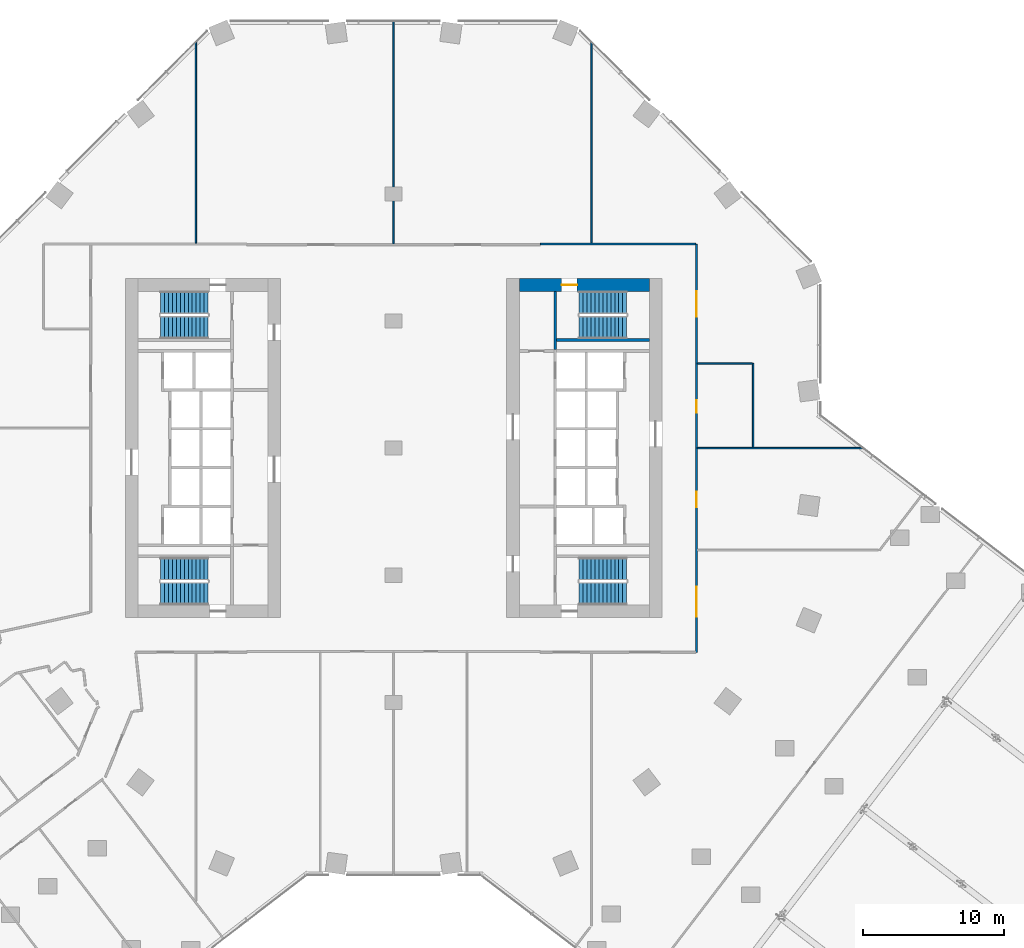
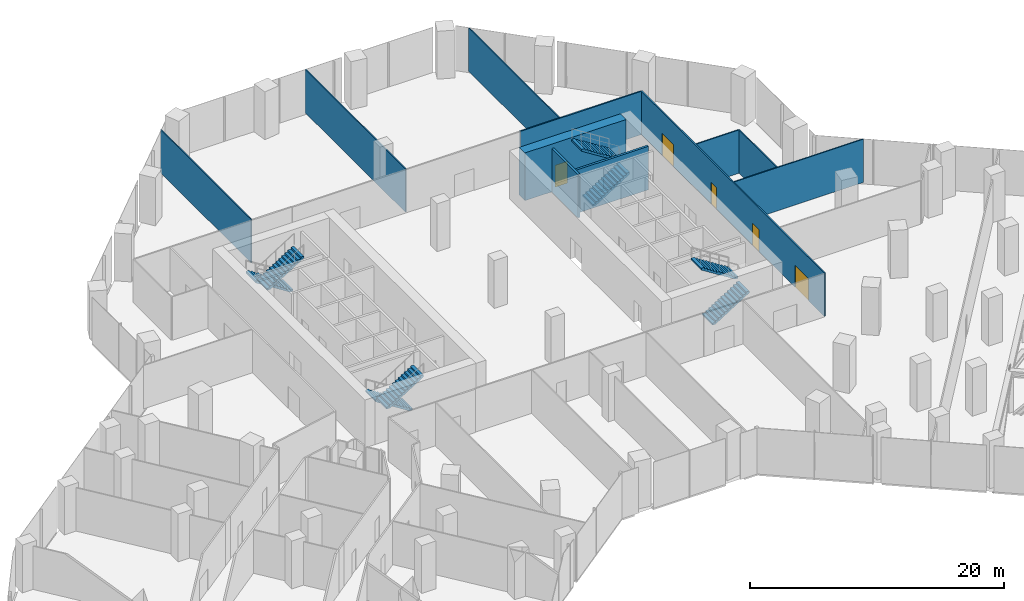
# One storey, part 27 of 30: 11 walls, 8 stair flights, 5 doors, 5 openings, 4 elements without a shape of their own.
"""IFC4 building model written with IfcOpenShell, lengths in metres."""

from ifc_helpers import new_model, si_unit, direction, frame, frame_2d, origin, place, context, subcontext, project, spatial, polyline, rectangle, outline, extrude, material, layer, layer_set, type_object, element, fill, aggregate, save


model = new_model("IFC4")

# Units and contexts
model_context = context("Model", 3, precision=1e-05, world=origin(), true_north=direction((0.0, 1.0)))
body_context = subcontext(model_context, "Body", "Model", "MODEL_VIEW")
ifc_project = project(units=[si_unit("LENGTHUNIT", "METRE"), si_unit("AREAUNIT", "SQUARE_METRE"), si_unit("VOLUMEUNIT", "CUBIC_METRE"), si_unit("PLANEANGLEUNIT", "RADIAN"), si_unit("MASSUNIT", "GRAM", prefix="KILO")], contexts=[model_context])

# Site, building, storey
site_placement = place(None, origin())
site = spatial("IfcSite", under=ifc_project, at=site_placement, CompositionType="ELEMENT")
building_placement = place(site_placement, origin())
building = spatial("IfcBuilding", under=site, at=building_placement, Name="Orlundy Tower", CompositionType="ELEMENT")
storey_placement = place(building_placement, frame((0.0, 0.0, 20.5)))
storey = spatial("IfcBuildingStorey", under=building, at=storey_placement, Name="L03", CompositionType="ELEMENT", Elevation=20.5)

# Wall, opening, door
ifc_material_1 = material(Name="Concrete C80/95", Category="concrete")
ifc_layer_1 = layer(ifc_material_1, 0.89990234375)
ifc_layer_set_1 = layer_set([ifc_layer_1], Name="CORE WALL 900 C80/95")
wall_type_1 = type_object("IfcWallType", Name="CORE WALL 900 C80/95", PredefinedType="SHEAR", material=ifc_layer_set_1)
wall_1_placement = place(storey_placement, frame((8.89990234375, 11.550048828125, 0.0), z_axis=(0.0, 0.0, 1.0), x_axis=(1.0, 0.0, 0.0)))
wall_1 = element("IfcWall", 1, at=wall_1_placement, inside=storey, type_object=wall_type_1, Name="Core wall E-N L03", PredefinedType="SHEAR", context=body_context, shape_type="SweptSolid", body=[
    extrude(rectangle(XDim=9.2001953125, YDim=0.89990234375, at=frame_2d((4.60009765625, 0.0))), origin(), (0.0, 0.0, 1.0), 4.60009765625),
])
opening_1_placement = place(wall_1_placement, frame((3.0, 0.0, 0.0)))
opening_1 = element("IfcOpeningElement", 2, at=opening_1_placement, cuts=wall_1, Name="Opening 04062", PredefinedType="OPENING", context=body_context, shape_type="SweptSolid", body=[
    extrude(rectangle(XDim=1.10009765625, YDim=2.10009765625, at=frame_2d((0.550048828125, 1.050048828125))), frame((0.0, 0.4599609375, 0.0), z_axis=(0.0, -1.0, 0.0), x_axis=(1.0, 0.0, 0.0)), (0.0, 0.0, 1.0), 0.919921875),
])
ifc_material_2 = material(Name="Steel door set", Category="steel")
door_type_1 = type_object("IfcDoorType", Name="Stair Door 1100x2100", OperationType="SINGLE_SWING_LEFT", PredefinedType="DOOR", material=ifc_material_2)
door_1_placement = place(opening_1_placement, origin())
door_1 = element("IfcDoor", 3, at=door_1_placement, inside=storey, type_object=door_type_1, Name="Stair door 04062", OperationType="SINGLE_SWING_LEFT", OverallHeight=2.10009765625, OverallWidth=1.10009765625, PredefinedType="DOOR", context=body_context, shape_type="SweptSolid", body=[
    extrude(rectangle(XDim=1.10009765625, YDim=2.10009765625, at=frame_2d((0.550048828125, 1.050048828125))), frame((0.0, 0.02490234375, 0.0), z_axis=(0.0, -1.0, 0.0), x_axis=(1.0, 0.0, 0.0)), (0.0, 0.0, 1.0), 0.050048828125),
])
fill(opening_1, door_1)

# Walls
ifc_material_3 = material(Name="Gypsum board partition")
ifc_layer_2 = layer(ifc_material_3, 0.10009765625)
ifc_layer_set_2 = layer_set([ifc_layer_2], Name="Floor partition 100")
wall_type_2 = type_object("IfcWallType", Name="Floor partition 100", PredefinedType="PARTITIONING", material=ifc_layer_set_2)
wall_2_placement = place(storey_placement, frame((21.511962890625, 0.0, 0.0), z_axis=(0.0, 0.0, 1.0), x_axis=(1.0, 0.0, 0.0)))
element("IfcWall", 4, at=wall_2_placement, inside=storey, type_object=wall_type_2, Name="wall-int-L03-028", PredefinedType="PARTITIONING", context=body_context, shape_type="SweptSolid", body=[
    extrude(rectangle(XDim=11.751953125, YDim=0.10009765625, at=frame_2d((5.8759765625, 0.0))), origin(), (0.0, 0.0, 1.0), 4.159912109375),
])
wall_3_placement = place(storey_placement, frame((21.511962890625, 5.9990234375, 0.0), z_axis=(0.0, 0.0, 1.0), x_axis=(1.0, 0.0, 0.0)))
element("IfcWall", 5, at=wall_3_placement, inside=storey, type_object=wall_type_2, Name="wall-int-L03-030", PredefinedType="PARTITIONING", context=body_context, shape_type="SweptSolid", body=[
    extrude(rectangle(XDim=3.886962890625, YDim=0.10009765625, at=frame_2d((1.943359375, 0.0))), origin(), (0.0, 0.0, 1.0), 4.159912109375),
])
wall_4_placement = place(storey_placement, frame((25.448974609375, 0.050048828125, 0.0), z_axis=(0.0, 0.0, 1.0), x_axis=(0.0, 1.0, 0.0)))
element("IfcWall", 6, at=wall_4_placement, inside=storey, type_object=wall_type_2, Name="wall-int-L03-057", PredefinedType="PARTITIONING", context=body_context, shape_type="SweptSolid", body=[
    extrude(rectangle(XDim=5.948974609375, YDim=0.10009765625, at=frame_2d((2.974609375, 0.0))), origin(), (0.0, 0.0, 1.0), 4.159912109375),
])
wall_5_placement = place(storey_placement, frame((14.0, 14.513916015625, 0.0), z_axis=(0.0, 0.0, 1.0), x_axis=(0.0, 1.0, 0.0)))
element("IfcWall", 7, at=wall_5_placement, inside=storey, type_object=wall_type_2, Name="wall-int-L03-060", PredefinedType="PARTITIONING", context=body_context, shape_type="SweptSolid", body=[
    extrude(rectangle(XDim=14.26611328125, YDim=0.10009765625, at=frame_2d((7.133056640625, 0.0))), origin(), (0.0, 0.0, 1.0), 4.159912109375),
])
wall_6_placement = place(storey_placement, frame((0.0, 14.462890625, 0.0), z_axis=(0.0, 0.0, 1.0), x_axis=(0.0, 1.0, 0.0)))
element("IfcWall", 8, at=wall_6_placement, inside=storey, type_object=wall_type_2, Name="wall-int-L03-063", PredefinedType="PARTITIONING", context=body_context, shape_type="SweptSolid", body=[
    extrude(rectangle(XDim=15.787109375, YDim=0.10009765625, at=frame_2d((7.8935546875, 0.0))), origin(), (0.0, 0.0, 1.0), 4.159912109375),
])
wall_7_placement = place(storey_placement, frame((-14.0, 14.513916015625, 0.0), z_axis=(0.0, 0.0, 1.0), x_axis=(0.0, 1.0, 0.0)))
element("IfcWall", 9, at=wall_7_placement, inside=storey, type_object=wall_type_2, Name="wall-int-L03-066", PredefinedType="PARTITIONING", context=body_context, shape_type="SweptSolid", body=[
    extrude(rectangle(XDim=14.26611328125, YDim=0.10009765625, at=frame_2d((7.133056640625, 0.0))), origin(), (0.0, 0.0, 1.0), 4.159912109375),
])
ifc_material_4 = material(Name="Gypsum board partition, double layer")
ifc_layer_3 = layer(ifc_material_4, 0.125)
ifc_layer_set_3 = layer_set([ifc_layer_3], Name="Floor partition 125")
wall_type_3 = type_object("IfcWallType", Name="Floor partition 125", PredefinedType="PARTITIONING", material=ifc_layer_set_3)
wall_8_placement = place(storey_placement, frame((10.39111328125, 14.450927734375, 0.0), z_axis=(0.0, 0.0, 1.0), x_axis=(1.0, 0.0, 0.0)))
element("IfcWall", 10, at=wall_8_placement, inside=storey, type_object=wall_type_3, Name="wall-int-L03-034", PredefinedType="PARTITIONING", context=body_context, shape_type="SweptSolid", body=[
    extrude(rectangle(XDim=10.995849609375, YDim=0.125, at=frame_2d((5.498046875, 0.0))), origin(), (0.0, 0.0, 1.0), 4.159912109375),
])

# Wall, openings, doors
wall_9_placement = place(storey_placement, frame((21.449951171875, 14.450927734375, 0.0), z_axis=(0.0, 0.0, 1.0), x_axis=(0.0, -1.0, 0.0)))
wall_9 = element("IfcWall", 11, at=wall_9_placement, inside=storey, type_object=wall_type_3, Name="wall-int-L03-058", PredefinedType="PARTITIONING", context=body_context, shape_type="SweptSolid", body=[
    extrude(rectangle(XDim=28.90185546875, YDim=0.125, at=frame_2d((14.450927734375, 0.0))), origin(), (0.0, 0.0, 1.0), 4.159912109375),
])
opening_2_placement = place(wall_9_placement, frame((24.27490234375, 0.0, 0.0)))
opening_2 = element("IfcOpeningElement", 12, at=opening_2_placement, cuts=wall_9, Name="Opening 04122", PredefinedType="OPENING", context=body_context, shape_type="SweptSolid", body=[
    extrude(rectangle(XDim=2.10009765625, YDim=2.10009765625, at=frame_2d((1.050048828125, 1.050048828125))), frame((0.0, 0.072509765625, 0.0), z_axis=(0.0, -1.0, 0.0), x_axis=(1.0, 0.0, 0.0)), (0.0, 0.0, 1.0), 0.14501953125),
])
opening_3_placement = place(wall_9_placement, frame((17.551025390625, 0.0, 0.0)))
opening_3 = element("IfcOpeningElement", 13, at=opening_3_placement, cuts=wall_9, Name="Opening 04123", PredefinedType="OPENING", context=body_context, shape_type="SweptSolid", body=[
    extrude(rectangle(XDim=1.10009765625, YDim=2.10009765625, at=frame_2d((0.550048828125, 1.050048828125))), frame((0.0, 0.072509765625, 0.0), z_axis=(0.0, -1.0, 0.0), x_axis=(1.0, 0.0, 0.0)), (0.0, 0.0, 1.0), 0.14501953125),
])
opening_4_placement = place(wall_9_placement, frame((3.35009765625, 0.0, 0.0)))
opening_4 = element("IfcOpeningElement", 14, at=opening_4_placement, cuts=wall_9, Name="Opening 04124", PredefinedType="OPENING", context=body_context, shape_type="SweptSolid", body=[
    extrude(rectangle(XDim=1.800048828125, YDim=2.10009765625, at=frame_2d((0.89990234375, 1.050048828125))), frame((0.0, 0.072509765625, 0.0), z_axis=(0.0, -1.0, 0.0), x_axis=(1.0, 0.0, 0.0)), (0.0, 0.0, 1.0), 0.14501953125),
])
opening_5_placement = place(wall_9_placement, frame((11.052001953125, 0.0, 0.0)))
opening_5 = element("IfcOpeningElement", 15, at=opening_5_placement, cuts=wall_9, Name="Opening 04128", PredefinedType="OPENING", context=body_context, shape_type="SweptSolid", body=[
    extrude(rectangle(XDim=0.89990234375, YDim=2.10009765625, at=frame_2d((0.449951171875, 1.050048828125))), frame((0.0, 0.072509765625, 0.0), z_axis=(0.0, -1.0, 0.0), x_axis=(1.0, 0.0, 0.0)), (0.0, 0.0, 1.0), 0.14501953125),
])
ifc_material_5 = material(Name="Timber door leaf", Category="wood")
door_type_2 = type_object("IfcDoorType", Name="Floor door double 1800 FD30S", OperationType="NOTDEFINED", PredefinedType="DOOR", material=ifc_material_5)
door_2_placement = place(opening_4_placement, origin())
door_2 = element("IfcDoor", 16, at=door_2_placement, inside=storey, type_object=door_type_2, Name="Door 04124", OperationType="DOUBLE_DOOR_SINGLE_SWING", OverallHeight=2.10009765625, OverallWidth=1.800048828125, PredefinedType="DOOR", context=body_context, shape_type="SweptSolid", body=[
    extrude(rectangle(XDim=1.800048828125, YDim=2.10009765625, at=frame_2d((0.89990234375, 1.050048828125))), frame((0.0, 0.02490234375, 0.0), z_axis=(0.0, -1.0, 0.0), x_axis=(1.0, 0.0, 0.0)), (0.0, 0.0, 1.0), 0.050048828125),
])
fill(opening_4, door_2)
ifc_material_6 = material(Name="Timber door leaf", Category="wood")
door_type_3 = type_object("IfcDoorType", Name="Floor door double 2100 FD30S", OperationType="NOTDEFINED", PredefinedType="DOOR", material=ifc_material_6)
door_3_placement = place(opening_2_placement, origin())
door_3 = element("IfcDoor", 17, at=door_3_placement, inside=storey, type_object=door_type_3, Name="Door 04122", OperationType="DOUBLE_DOOR_SINGLE_SWING", OverallHeight=2.10009765625, OverallWidth=2.10009765625, PredefinedType="DOOR", context=body_context, shape_type="SweptSolid", body=[
    extrude(rectangle(XDim=2.10009765625, YDim=2.10009765625, at=frame_2d((1.050048828125, 1.050048828125))), frame((0.0, 0.02490234375, 0.0), z_axis=(0.0, -1.0, 0.0), x_axis=(1.0, 0.0, 0.0)), (0.0, 0.0, 1.0), 0.050048828125),
])
fill(opening_2, door_3)
ifc_material_7 = material(Name="Timber door leaf", Category="wood")
door_type_4 = type_object("IfcDoorType", Name="Floor door single 900 FD30S", OperationType="NOTDEFINED", PredefinedType="DOOR", material=ifc_material_7)
door_4_placement = place(opening_5_placement, origin())
door_4 = element("IfcDoor", 18, at=door_4_placement, inside=storey, type_object=door_type_4, Name="Door 04128", OperationType="SINGLE_SWING_LEFT", OverallHeight=2.10009765625, OverallWidth=0.89990234375, PredefinedType="DOOR", context=body_context, shape_type="SweptSolid", body=[
    extrude(rectangle(XDim=0.89990234375, YDim=2.10009765625, at=frame_2d((0.449951171875, 1.050048828125))), frame((0.0, 0.02490234375, 0.0), z_axis=(0.0, -1.0, 0.0), x_axis=(1.0, 0.0, 0.0)), (0.0, 0.0, 1.0), 0.050048828125),
])
fill(opening_5, door_4)
ifc_material_8 = material(Name="Timber door leaf", Category="wood")
door_type_5 = type_object("IfcDoorType", Name="Floor door xwide 1100 FD30S", OperationType="NOTDEFINED", PredefinedType="DOOR", material=ifc_material_8)
door_5_placement = place(opening_3_placement, origin())
door_5 = element("IfcDoor", 19, at=door_5_placement, inside=storey, type_object=door_type_5, Name="Door 04123", OperationType="SINGLE_SWING_RIGHT", OverallHeight=2.10009765625, OverallWidth=1.10009765625, PredefinedType="DOOR", context=body_context, shape_type="SweptSolid", body=[
    extrude(rectangle(XDim=1.10009765625, YDim=2.10009765625, at=frame_2d((0.550048828125, 1.050048828125))), frame((0.0, 0.02490234375, 0.0), z_axis=(0.0, -1.0, 0.0), x_axis=(1.0, 0.0, 0.0)), (0.0, 0.0, 1.0), 0.050048828125),
])
fill(opening_3, door_5)

# Walls
ifc_material_9 = material(Name="Concrete C40/50", Category="concrete")
ifc_layer_4 = layer(ifc_material_9, 0.199951171875)
ifc_layer_set_4 = layer_set([ifc_layer_4], Name="Load-bearing Shaft Wall 200")
wall_type_4 = type_object("IfcWallType", Name="Load-bearing Shaft Wall 200", PredefinedType="SOLIDWALL", material=ifc_layer_set_4)
wall_10_placement = place(storey_placement, frame((11.43994140625, 11.10009765625, 0.0), z_axis=(0.0, 0.0, 1.0), x_axis=(0.0, -1.0, 0.0)))
element("IfcWall", 20, at=wall_10_placement, inside=storey, type_object=wall_type_4, Name="Shaft wall E04-stair-end-s", PredefinedType="SOLIDWALL", context=body_context, shape_type="SweptSolid", body=[
    extrude(rectangle(XDim=4.125, YDim=0.199951171875, at=frame_2d((2.0625, 0.0))), origin(), (0.0, 0.0, 1.0), 4.179931640625),
])
wall_11_placement = place(storey_placement, frame((11.5400390625, 7.64990234375, 0.0), z_axis=(0.0, 0.0, 1.0), x_axis=(1.0, 0.0, 0.0)))
element("IfcWall", 21, at=wall_11_placement, inside=storey, type_object=wall_type_4, Name="Shaft wall E04-stair-side-s", PredefinedType="SOLIDWALL", context=body_context, shape_type="SweptSolid", body=[
    extrude(rectangle(XDim=6.56005859375, YDim=0.199951171875, at=frame_2d((3.280029296875, 0.0))), origin(), (0.0, 0.0, 1.0), 4.179931640625),
])

# Stair, stair flights
ifc_material_10 = material(Name="Concrete C50/60", Category="concrete")
stair_type = type_object("IfcStairType", Name="Exit Stair 26 risers", PredefinedType="HALF_TURN_STAIR", material=ifc_material_10)
stair_1_placement = place(storey_placement, origin())
stair_1 = element("IfcStair", 22, at=stair_1_placement, inside=storey, type_object=stair_type, Name="L03 Exit Stair ST-W1", PredefinedType="HALF_TURN_STAIR")
ifc_material_11 = material(Name="Concrete C50/60", Category="concrete")
stair_flight_type = type_object("IfcStairFlightType", Name="Stair Flight 13 risers", PredefinedType="STRAIGHT", material=ifc_material_11)
stair_flight_1_placement = place(storey_placement, frame((-13.139892578125, 10.300048828125, 0.0), z_axis=(0.0, 0.0, 1.0), x_axis=(-1.0, 0.0, 0.0)))
stair_flight_1 = element("IfcStairFlight", 23, at=stair_flight_1_placement, type_object=stair_flight_type, Name="ST-W1 flight 1", NumberOfRisers=13, NumberOfTreads=12, PredefinedType="STRAIGHT", RiserHeight=0.176923077, TreadLength=0.28, context=body_context, shape_type="SweptSolid", body=[
    extrude(outline(polyline([(0.0, 0.0), (0.0, 0.177001953125), (0.280029296875, 0.177001953125), (0.280029296875, 0.353759765625), (0.56005859375, 0.353759765625), (0.56005859375, 0.53076171875), (0.840087890625, 0.53076171875), (0.840087890625, 0.707763671875), (1.1201171875, 0.707763671875), (1.1201171875, 0.884521484375), (1.39990234375, 0.884521484375), (1.39990234375, 1.0615234375), (1.679931640625, 1.0615234375), (1.679931640625, 1.238525390625), (1.9599609375, 1.238525390625), (1.9599609375, 1.415283203125), (2.239990234375, 1.415283203125), (2.239990234375, 1.59228515625), (2.52001953125, 1.59228515625), (2.52001953125, 1.769287109375), (2.800048828125, 1.769287109375), (2.800048828125, 1.946044921875), (3.080078125, 1.946044921875), (3.080078125, 2.123046875), (3.360107421875, 2.123046875), (3.360107421875, 2.300048828125), (3.360107421875, 1.94580078125), (0.280517578125, 0.0), (0.0, 0.0)])), frame((0.0, 0.800048828125, 0.0), z_axis=(0.0, -1.0, 0.0), x_axis=(1.0, 0.0, 0.0)), (0.0, 0.0, 1.0), 1.60009765625),
])
stair_flight_2_placement = place(storey_placement, frame((-16.5, 8.550048828125, 2.300048828125), z_axis=(0.0, 0.0, 1.0), x_axis=(1.0, 0.0, 0.0)))
stair_flight_2 = element("IfcStairFlight", 24, at=stair_flight_2_placement, type_object=stair_flight_type, Name="ST-W1 flight 2", NumberOfRisers=13, NumberOfTreads=12, PredefinedType="STRAIGHT", RiserHeight=0.176923077, TreadLength=0.28, context=body_context, shape_type="SweptSolid", body=[
    extrude(outline(polyline([(0.0, 0.0), (0.0, 0.177001953125), (0.280029296875, 0.177001953125), (0.280029296875, 0.353759765625), (0.56005859375, 0.353759765625), (0.56005859375, 0.53076171875), (0.840087890625, 0.53076171875), (0.840087890625, 0.707763671875), (1.1201171875, 0.707763671875), (1.1201171875, 0.884521484375), (1.39990234375, 0.884521484375), (1.39990234375, 1.0615234375), (1.679931640625, 1.0615234375), (1.679931640625, 1.238525390625), (1.9599609375, 1.238525390625), (1.9599609375, 1.415283203125), (2.239990234375, 1.415283203125), (2.239990234375, 1.59228515625), (2.52001953125, 1.59228515625), (2.52001953125, 1.769287109375), (2.800048828125, 1.769287109375), (2.800048828125, 1.946044921875), (3.080078125, 1.946044921875), (3.080078125, 2.123046875), (3.360107421875, 2.123046875), (3.360107421875, 2.300048828125), (3.360107421875, 1.94580078125), (0.280517578125, 0.0), (0.0, 0.0)])), frame((0.0, 0.800048828125, 0.0), z_axis=(0.0, -1.0, 0.0), x_axis=(1.0, 0.0, 0.0)), (0.0, 0.0, 1.0), 1.60009765625),
])
aggregate(stair_1, [stair_flight_1, stair_flight_2])

stair_2_placement = place(storey_placement, origin())
stair_2 = element("IfcStair", 25, at=stair_2_placement, inside=storey, type_object=stair_type, Name="L03 Exit Stair ST-W2", PredefinedType="HALF_TURN_STAIR")
stair_flight_3_placement = place(storey_placement, frame((-13.139892578125, -8.550048828125, 0.0), z_axis=(0.0, 0.0, 1.0), x_axis=(-1.0, 0.0, 0.0)))
stair_flight_3 = element("IfcStairFlight", 26, at=stair_flight_3_placement, type_object=stair_flight_type, Name="ST-W2 flight 1", NumberOfRisers=13, NumberOfTreads=12, PredefinedType="STRAIGHT", RiserHeight=0.176923077, TreadLength=0.28, context=body_context, shape_type="SweptSolid", body=[
    extrude(outline(polyline([(0.0, 0.0), (0.0, 0.177001953125), (0.280029296875, 0.177001953125), (0.280029296875, 0.353759765625), (0.56005859375, 0.353759765625), (0.56005859375, 0.53076171875), (0.840087890625, 0.53076171875), (0.840087890625, 0.707763671875), (1.1201171875, 0.707763671875), (1.1201171875, 0.884521484375), (1.39990234375, 0.884521484375), (1.39990234375, 1.0615234375), (1.679931640625, 1.0615234375), (1.679931640625, 1.238525390625), (1.9599609375, 1.238525390625), (1.9599609375, 1.415283203125), (2.239990234375, 1.415283203125), (2.239990234375, 1.59228515625), (2.52001953125, 1.59228515625), (2.52001953125, 1.769287109375), (2.800048828125, 1.769287109375), (2.800048828125, 1.946044921875), (3.080078125, 1.946044921875), (3.080078125, 2.123046875), (3.360107421875, 2.123046875), (3.360107421875, 2.300048828125), (3.360107421875, 1.94580078125), (0.280517578125, 0.0), (0.0, 0.0)])), frame((0.0, 0.800048828125, 0.0), z_axis=(0.0, -1.0, 0.0), x_axis=(1.0, 0.0, 0.0)), (0.0, 0.0, 1.0), 1.60009765625),
])
stair_flight_4_placement = place(storey_placement, frame((-16.5, -10.300048828125, 2.300048828125), z_axis=(0.0, 0.0, 1.0), x_axis=(1.0, 0.0, 0.0)))
stair_flight_4 = element("IfcStairFlight", 27, at=stair_flight_4_placement, type_object=stair_flight_type, Name="ST-W2 flight 2", NumberOfRisers=13, NumberOfTreads=12, PredefinedType="STRAIGHT", RiserHeight=0.176923077, TreadLength=0.28, context=body_context, shape_type="SweptSolid", body=[
    extrude(outline(polyline([(0.0, 0.0), (0.0, 0.177001953125), (0.280029296875, 0.177001953125), (0.280029296875, 0.353759765625), (0.56005859375, 0.353759765625), (0.56005859375, 0.53076171875), (0.840087890625, 0.53076171875), (0.840087890625, 0.707763671875), (1.1201171875, 0.707763671875), (1.1201171875, 0.884521484375), (1.39990234375, 0.884521484375), (1.39990234375, 1.0615234375), (1.679931640625, 1.0615234375), (1.679931640625, 1.238525390625), (1.9599609375, 1.238525390625), (1.9599609375, 1.415283203125), (2.239990234375, 1.415283203125), (2.239990234375, 1.59228515625), (2.52001953125, 1.59228515625), (2.52001953125, 1.769287109375), (2.800048828125, 1.769287109375), (2.800048828125, 1.946044921875), (3.080078125, 1.946044921875), (3.080078125, 2.123046875), (3.360107421875, 2.123046875), (3.360107421875, 2.300048828125), (3.360107421875, 1.94580078125), (0.280517578125, 0.0), (0.0, 0.0)])), frame((0.0, 0.800048828125, 0.0), z_axis=(0.0, -1.0, 0.0), x_axis=(1.0, 0.0, 0.0)), (0.0, 0.0, 1.0), 1.60009765625),
])
aggregate(stair_2, [stair_flight_3, stair_flight_4])

stair_3_placement = place(storey_placement, origin())
stair_3 = element("IfcStair", 28, at=stair_3_placement, inside=storey, type_object=stair_type, Name="L03 Exit Stair ST-E1", PredefinedType="HALF_TURN_STAIR")
stair_flight_5_placement = place(storey_placement, frame((13.139892578125, -10.300048828125, 0.0), z_axis=(0.0, 0.0, 1.0), x_axis=(1.0, 0.0, 0.0)))
stair_flight_5 = element("IfcStairFlight", 29, at=stair_flight_5_placement, type_object=stair_flight_type, Name="ST-E1 flight 1", NumberOfRisers=13, NumberOfTreads=12, PredefinedType="STRAIGHT", RiserHeight=0.176923077, TreadLength=0.28, context=body_context, shape_type="SweptSolid", body=[
    extrude(outline(polyline([(0.0, 0.0), (0.0, 0.177001953125), (0.280029296875, 0.177001953125), (0.280029296875, 0.353759765625), (0.56005859375, 0.353759765625), (0.56005859375, 0.53076171875), (0.840087890625, 0.53076171875), (0.840087890625, 0.707763671875), (1.1201171875, 0.707763671875), (1.1201171875, 0.884521484375), (1.39990234375, 0.884521484375), (1.39990234375, 1.0615234375), (1.679931640625, 1.0615234375), (1.679931640625, 1.238525390625), (1.9599609375, 1.238525390625), (1.9599609375, 1.415283203125), (2.239990234375, 1.415283203125), (2.239990234375, 1.59228515625), (2.52001953125, 1.59228515625), (2.52001953125, 1.769287109375), (2.800048828125, 1.769287109375), (2.800048828125, 1.946044921875), (3.080078125, 1.946044921875), (3.080078125, 2.123046875), (3.360107421875, 2.123046875), (3.360107421875, 2.300048828125), (3.360107421875, 1.94580078125), (0.280517578125, 0.0), (0.0, 0.0)])), frame((0.0, 0.800048828125, 0.0), z_axis=(0.0, -1.0, 0.0), x_axis=(1.0, 0.0, 0.0)), (0.0, 0.0, 1.0), 1.60009765625),
])
stair_flight_6_placement = place(storey_placement, frame((16.5, -8.550048828125, 2.300048828125), z_axis=(0.0, 0.0, 1.0), x_axis=(-1.0, 0.0, 0.0)))
stair_flight_6 = element("IfcStairFlight", 30, at=stair_flight_6_placement, type_object=stair_flight_type, Name="ST-E1 flight 2", NumberOfRisers=13, NumberOfTreads=12, PredefinedType="STRAIGHT", RiserHeight=0.176923077, TreadLength=0.28, context=body_context, shape_type="SweptSolid", body=[
    extrude(outline(polyline([(0.0, 0.0), (0.0, 0.177001953125), (0.280029296875, 0.177001953125), (0.280029296875, 0.353759765625), (0.56005859375, 0.353759765625), (0.56005859375, 0.53076171875), (0.840087890625, 0.53076171875), (0.840087890625, 0.707763671875), (1.1201171875, 0.707763671875), (1.1201171875, 0.884521484375), (1.39990234375, 0.884521484375), (1.39990234375, 1.0615234375), (1.679931640625, 1.0615234375), (1.679931640625, 1.238525390625), (1.9599609375, 1.238525390625), (1.9599609375, 1.415283203125), (2.239990234375, 1.415283203125), (2.239990234375, 1.59228515625), (2.52001953125, 1.59228515625), (2.52001953125, 1.769287109375), (2.800048828125, 1.769287109375), (2.800048828125, 1.946044921875), (3.080078125, 1.946044921875), (3.080078125, 2.123046875), (3.360107421875, 2.123046875), (3.360107421875, 2.300048828125), (3.360107421875, 1.94580078125), (0.280517578125, 0.0), (0.0, 0.0)])), frame((0.0, 0.800048828125, 0.0), z_axis=(0.0, -1.0, 0.0), x_axis=(1.0, 0.0, 0.0)), (0.0, 0.0, 1.0), 1.60009765625),
])
aggregate(stair_3, [stair_flight_5, stair_flight_6])

stair_4_placement = place(storey_placement, origin())
stair_4 = element("IfcStair", 31, at=stair_4_placement, inside=storey, type_object=stair_type, Name="L03 Exit Stair ST-E2", PredefinedType="HALF_TURN_STAIR")
stair_flight_7_placement = place(storey_placement, frame((13.139892578125, 8.550048828125, 0.0), z_axis=(0.0, 0.0, 1.0), x_axis=(1.0, 0.0, 0.0)))
stair_flight_7 = element("IfcStairFlight", 32, at=stair_flight_7_placement, type_object=stair_flight_type, Name="ST-E2 flight 1", NumberOfRisers=13, NumberOfTreads=12, PredefinedType="STRAIGHT", RiserHeight=0.176923077, TreadLength=0.28, context=body_context, shape_type="SweptSolid", body=[
    extrude(outline(polyline([(0.0, 0.0), (0.0, 0.177001953125), (0.280029296875, 0.177001953125), (0.280029296875, 0.353759765625), (0.56005859375, 0.353759765625), (0.56005859375, 0.53076171875), (0.840087890625, 0.53076171875), (0.840087890625, 0.707763671875), (1.1201171875, 0.707763671875), (1.1201171875, 0.884521484375), (1.39990234375, 0.884521484375), (1.39990234375, 1.0615234375), (1.679931640625, 1.0615234375), (1.679931640625, 1.238525390625), (1.9599609375, 1.238525390625), (1.9599609375, 1.415283203125), (2.239990234375, 1.415283203125), (2.239990234375, 1.59228515625), (2.52001953125, 1.59228515625), (2.52001953125, 1.769287109375), (2.800048828125, 1.769287109375), (2.800048828125, 1.946044921875), (3.080078125, 1.946044921875), (3.080078125, 2.123046875), (3.360107421875, 2.123046875), (3.360107421875, 2.300048828125), (3.360107421875, 1.94580078125), (0.280517578125, 0.0), (0.0, 0.0)])), frame((0.0, 0.800048828125, 0.0), z_axis=(0.0, -1.0, 0.0), x_axis=(1.0, 0.0, 0.0)), (0.0, 0.0, 1.0), 1.60009765625),
])
stair_flight_8_placement = place(storey_placement, frame((16.5, 10.300048828125, 2.300048828125), z_axis=(0.0, 0.0, 1.0), x_axis=(-1.0, 0.0, 0.0)))
stair_flight_8 = element("IfcStairFlight", 33, at=stair_flight_8_placement, type_object=stair_flight_type, Name="ST-E2 flight 2", NumberOfRisers=13, NumberOfTreads=12, PredefinedType="STRAIGHT", RiserHeight=0.176923077, TreadLength=0.28, context=body_context, shape_type="SweptSolid", body=[
    extrude(outline(polyline([(0.0, 0.0), (0.0, 0.177001953125), (0.280029296875, 0.177001953125), (0.280029296875, 0.353759765625), (0.56005859375, 0.353759765625), (0.56005859375, 0.53076171875), (0.840087890625, 0.53076171875), (0.840087890625, 0.707763671875), (1.1201171875, 0.707763671875), (1.1201171875, 0.884521484375), (1.39990234375, 0.884521484375), (1.39990234375, 1.0615234375), (1.679931640625, 1.0615234375), (1.679931640625, 1.238525390625), (1.9599609375, 1.238525390625), (1.9599609375, 1.415283203125), (2.239990234375, 1.415283203125), (2.239990234375, 1.59228515625), (2.52001953125, 1.59228515625), (2.52001953125, 1.769287109375), (2.800048828125, 1.769287109375), (2.800048828125, 1.946044921875), (3.080078125, 1.946044921875), (3.080078125, 2.123046875), (3.360107421875, 2.123046875), (3.360107421875, 2.300048828125), (3.360107421875, 1.94580078125), (0.280517578125, 0.0), (0.0, 0.0)])), frame((0.0, 0.800048828125, 0.0), z_axis=(0.0, -1.0, 0.0), x_axis=(1.0, 0.0, 0.0)), (0.0, 0.0, 1.0), 1.60009765625),
])
aggregate(stair_4, [stair_flight_7, stair_flight_8])

save(model, "model.ifc")
